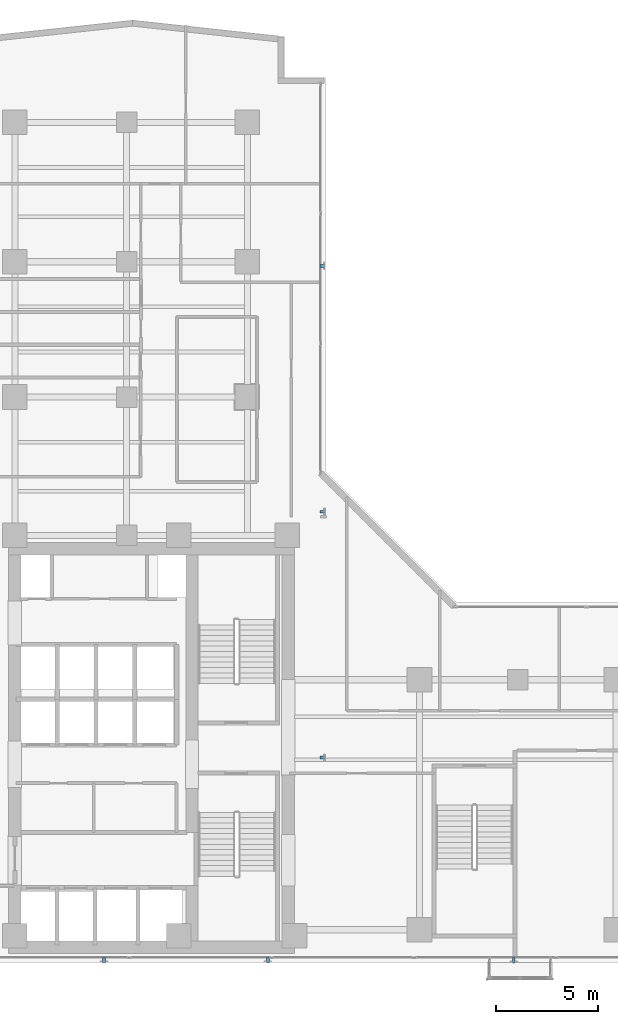
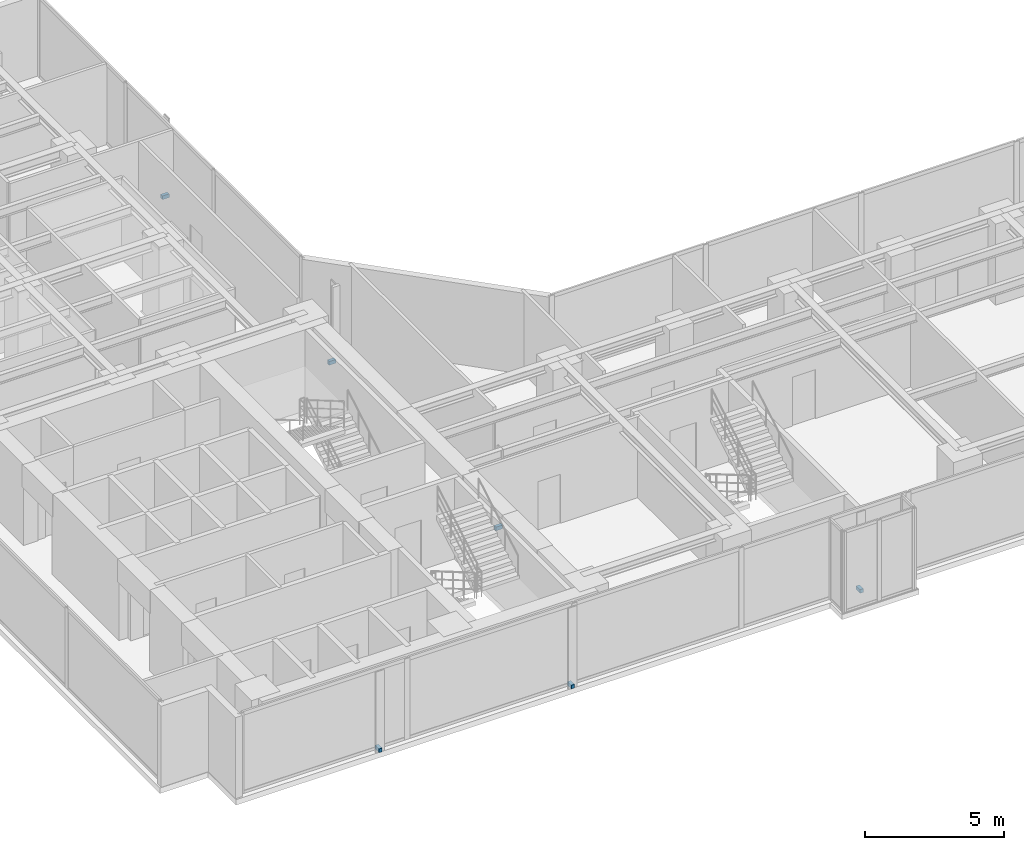
# One storey, part 22 of 24: 6 discrete accessories.
"""IFC4 building model written with IfcOpenShell, lengths in metres."""

from ifc_helpers import new_model, si_unit, direction, frame, origin, origin_with_axes, origin_2d, place, context, subcontext, project, spatial, rectangle, extrude, source, transform, mapped, material, type_object, element, save


model = new_model("IFC4")

# Units and contexts
model_context = context("Model", 3, precision=1e-05, world=origin(), true_north=direction((0.0, 1.0)))
body_context = subcontext(model_context, "Body", "Model", "MODEL_VIEW")
ifc_project = project(units=[si_unit("LENGTHUNIT", "METRE"), si_unit("AREAUNIT", "SQUARE_METRE"), si_unit("VOLUMEUNIT", "CUBIC_METRE"), si_unit("PLANEANGLEUNIT", "RADIAN"), si_unit("MASSUNIT", "GRAM", prefix="KILO")], contexts=[model_context])

# Site, building, storey
site_placement = place(None, origin())
site = spatial("IfcSite", under=ifc_project, at=site_placement, CompositionType="ELEMENT")
building_placement = place(site_placement, origin())
building = spatial("IfcBuilding", under=site, at=building_placement, Name="Kolvaren Waterfront Exchange", CompositionType="ELEMENT")
storey_placement = place(building_placement, frame((0.0, 0.0, 157.60009765625)))
storey = spatial("IfcBuildingStorey", under=building, at=storey_placement, Name="L40", CompositionType="ELEMENT", Elevation=157.60009765625)

# Discrete accessories
ifc_material = material(Name="Stainless steel 316", Category="steel")
discrete_accessory_type = type_object("IfcDiscreteAccessoryType", Name="ARC-BRK-FIN", PredefinedType="BRACKET", material=ifc_material)
shared_shape = source(origin_with_axes(), body_context, "Body", "SweptSolid", [
    extrude(rectangle(XDim=0.280029296875, YDim=0.139892578125, at=origin_2d()), origin(), (0.0, 0.0, 1.0), 0.159912109375),
])
for number, where, z_axis, x_axis, name in (
    (1, (11.800048828125, 3.719970703125, 0.0), (0.0, 0.0, 1.0), (0.0, -1.0, 0.0), "L40 bronze fin anchor bracket FIN-L40-S1"),
    (2, (19.800048828125, 3.719970703125, 0.0), (0.0, 0.0, 1.0), (0.0, -1.0, 0.0), "L40 bronze fin anchor bracket FIN-L40-S2"),
    (3, (31.800048828125, 3.719970703125, 0.0), (0.0, 0.0, 1.0), (0.0, -1.0, 0.0), "L40 bronze fin anchor bracket FIN-L40-S3"),
    (4, (22.47998046875, 13.60009765625, 0.0), (0.0, 0.0, 1.0), (1.0, 0.0, 0.0), "L40 bronze fin anchor bracket FIN-L40-E1"),
    (5, (22.47998046875, 25.60009765625, 0.0), (0.0, 0.0, 1.0), (1.0, 0.0, 0.0), "L40 bronze fin anchor bracket FIN-L40-E2"),
    (6, (22.47998046875, 37.60009765625, 0.0), (0.0, 0.0, 1.0), (1.0, 0.0, 0.0), "L40 bronze fin anchor bracket FIN-L40-E3"),
):
    element("IfcDiscreteAccessory", number, at=place(storey_placement, frame(where, z_axis=z_axis, x_axis=x_axis)), inside=storey, type_object=discrete_accessory_type, Name=name, PredefinedType="BRACKET", context=body_context, shape_type="MappedRepresentation", body=[
        mapped(shared_shape, transform((0.0, 0.0, 0.0), x_axis=(1.0, 0.0, 0.0), y_axis=(0.0, 1.0, 0.0), z_axis=(0.0, 0.0, 1.0), scale=1.0)),
    ])

save(model, "model.ifc")
